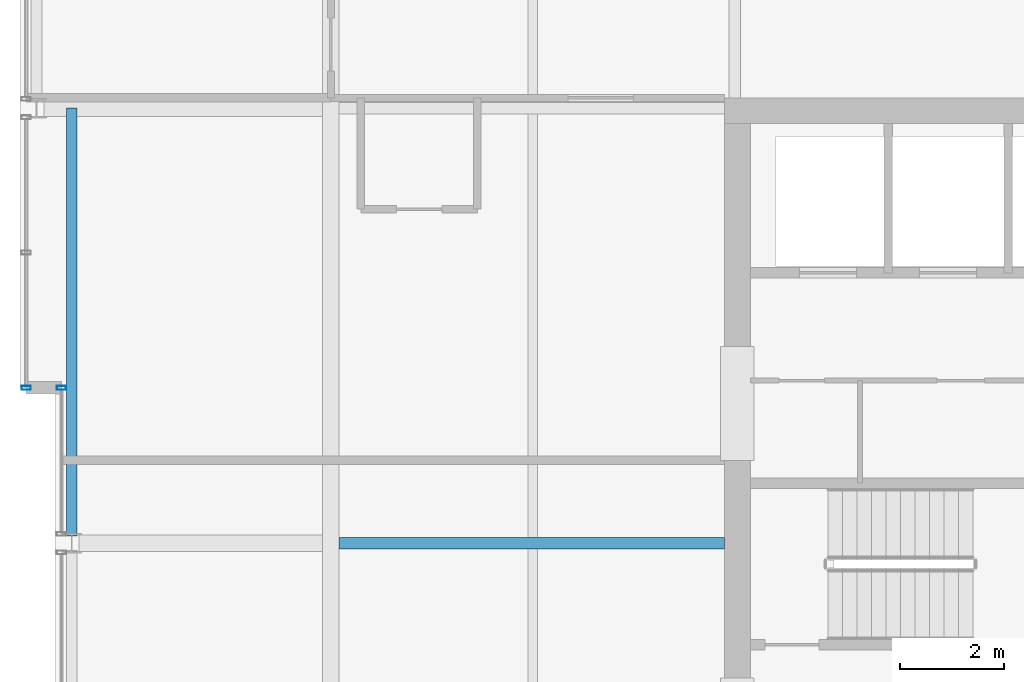
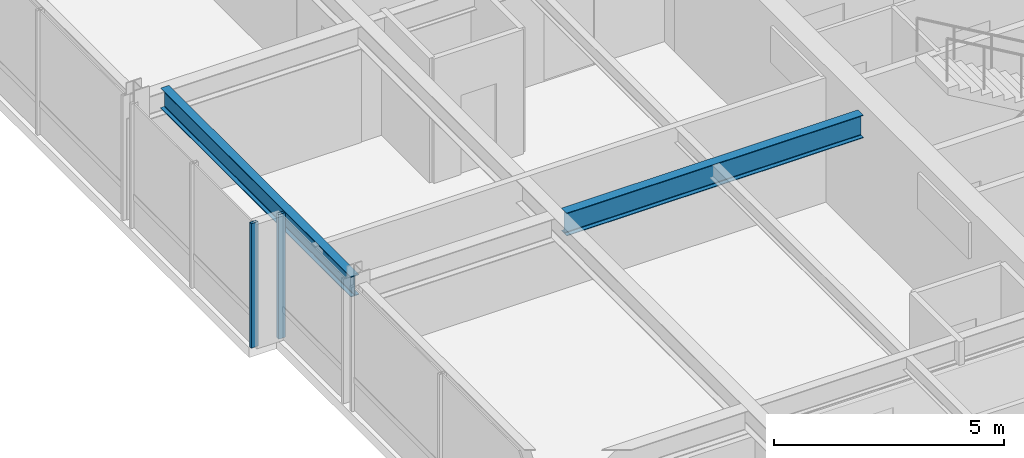
# One storey, part 12 of 34: 2 beams, 2 members, 2 elements without a shape of their own.
"""IFC4 building model written with IfcOpenShell, lengths in metres."""

from ifc_helpers import new_model, si_unit, direction, frame, origin, origin_2d, place, context, subcontext, project, spatial, hollow_rectangle, i_section, extrude, material, layer, layer_set, material_profile, profile_set, type_object, element, aggregate, save


model = new_model("IFC4")

# Units and contexts
model_context = context("Model", 3, precision=1e-05, world=origin(), true_north=direction((0.0, 1.0)))
body_context = subcontext(model_context, "Body", "Model", "MODEL_VIEW")
ifc_project = project(units=[si_unit("LENGTHUNIT", "METRE"), si_unit("AREAUNIT", "SQUARE_METRE"), si_unit("VOLUMEUNIT", "CUBIC_METRE"), si_unit("PLANEANGLEUNIT", "RADIAN"), si_unit("MASSUNIT", "GRAM", prefix="KILO")], contexts=[model_context])

# Site, building, storey
site_placement = place(None, origin())
site = spatial("IfcSite", under=ifc_project, at=site_placement, CompositionType="ELEMENT")
building_placement = place(site_placement, origin())
building = spatial("IfcBuilding", under=site, at=building_placement, Name="Drelvath Grand Hotel", CompositionType="ELEMENT")
storey_placement = place(building_placement, frame((0.0, 0.0, 251.89990234375)))
storey = spatial("IfcBuildingStorey", under=building, at=storey_placement, Name="L66", CompositionType="ELEMENT", Elevation=251.89990234375)

# Curtain wall, member
ifc_material_1 = material(Name="Platinum-Mist Anodised Aluminium Frame", Category="aluminium")
ifc_layer = layer(ifc_material_1, 0.199951171875)
ifc_layer_set = layer_set([ifc_layer], Name="Platinum-Mist Anodised Aluminium Frame")
curtain_wall_type = type_object("IfcCurtainWallType", Name="Stick Curtain Wall CW-05 Platinum Mist High-Rise", PredefinedType="NOTDEFINED", material=ifc_layer_set)
curtain_wall_1_placement = place(storey_placement, origin())
curtain_wall_1 = element("IfcCurtainWall", 1, at=curtain_wall_1_placement, inside=storey, type_object=curtain_wall_type, Name="L66 CW-05 Curtain Wall CW05-L66-WM2", PredefinedType="NOTDEFINED")
ifc_material_profile_1 = material_profile(ifc_material_1, hollow_rectangle(XDim=0.074951171875, YDim=0.179931640625, WallThickness=0.0048828125, at=origin_2d()), Name="HSS180X75X5")
ifc_profile_set_1 = profile_set([ifc_material_profile_1], Name="Platinum-Mist Anodised Aluminium Frame")
member_type = type_object("IfcMemberType", Name="Curtain Wall Vertical Mullion CW-05 HSS180X75X5", PredefinedType="MULLION", material=ifc_profile_set_1)
member_1_placement = place(storey_placement, frame((-21.39990234375, 30.0, 0.0), z_axis=(0.0, 0.0, 1.0), x_axis=(0.0, 1.0, 0.0)))
member_1 = element("IfcMember", 2, at=member_1_placement, type_object=member_type, Name="CW05-L66-WM2 Mullion 2", PredefinedType="MULLION", context=body_context, shape_type="SweptSolid", body=[
    extrude(hollow_rectangle(XDim=0.074951171875, YDim=0.179931640625, WallThickness=0.0048828125, at=origin_2d()), origin(), (0.0, 0.0, 1.0), 3.300048828125),
])
aggregate(curtain_wall_1, [member_1])

curtain_wall_2_placement = place(storey_placement, origin())
curtain_wall_2 = element("IfcCurtainWall", 3, at=curtain_wall_2_placement, inside=storey, type_object=curtain_wall_type, Name="L66 CW-05 Curtain Wall CW05-L66-WN1", PredefinedType="NOTDEFINED")
member_2_placement = place(storey_placement, frame((-22.080078125, 30.0, 0.0), z_axis=(0.0, 0.0, 1.0), x_axis=(0.0, 1.0, 0.0)))
member_2 = element("IfcMember", 4, at=member_2_placement, type_object=member_type, Name="CW05-L66-WN1 Mullion 1", PredefinedType="MULLION", context=body_context, shape_type="SweptSolid", body=[
    extrude(hollow_rectangle(XDim=0.074951171875, YDim=0.179931640625, WallThickness=0.0048828125, at=origin_2d()), origin(), (0.0, 0.0, 1.0), 3.300048828125),
])
aggregate(curtain_wall_2, [member_2])

# Beams
ifc_material_2 = material(Name="Steel ASTM A992 Gr 50", Category="steel")
ifc_material_profile_2 = material_profile(ifc_material_2, i_section(OverallWidth=0.210205078125, OverallDepth=0.53662109375, WebThickness=0.010986328125, FlangeThickness=0.017333984375, FilletRadius=0.01806640625, at=origin_2d()), Name="W21X68")
ifc_profile_set_2 = profile_set([ifc_material_profile_2], Name="Steel ASTM A992 Gr 50")
beam_type_1 = type_object("IfcBeamType", Name="Perimeter Spandrel Beam W21X68", PredefinedType="SPANDREL", material=ifc_profile_set_2)
beam_1_placement = place(storey_placement, frame((-21.199951171875, 27.139892578125, 3.03173828125), z_axis=(0.0, 1.0, 0.0), x_axis=(-1.0, 0.0, 0.0)))
element("IfcBeam", 5, at=beam_1_placement, inside=storey, type_object=beam_type_1, Name="L66 Spandrel West Mid N", PredefinedType="SPANDREL", context=body_context, shape_type="SweptSolid", body=[
    extrude(i_section(OverallWidth=0.210205078125, OverallDepth=0.53662109375, WebThickness=0.010986328125, FlangeThickness=0.017333984375, FilletRadius=0.01806640625, at=origin_2d()), origin(), (0.0, 0.0, 1.0), 8.260009765625),
])
ifc_material_profile_3 = material_profile(ifc_material_2, i_section(OverallWidth=0.228271484375, OverallDepth=0.607666015625, WebThickness=0.01123046875, FlangeThickness=0.017333984375, FilletRadius=0.02001953125, at=origin_2d()), Name="W24X76")
ifc_profile_set_3 = profile_set([ifc_material_profile_3], Name="Steel ASTM A992 Gr 50")
beam_type_2 = type_object("IfcBeamType", Name="Primary Floor Girder W24X76", PredefinedType="BEAM", material=ifc_profile_set_3)
beam_2_placement = place(storey_placement, frame((-16.0380859375, 27.0, 2.996337890625), z_axis=(1.0, 0.0, 0.0), x_axis=(0.0, 1.0, 0.0)))
element("IfcBeam", 6, at=beam_2_placement, inside=storey, type_object=beam_type_2, Name="L66 West Core Tie E", PredefinedType="BEAM", context=body_context, shape_type="SweptSolid", body=[
    extrude(i_section(OverallWidth=0.228271484375, OverallDepth=0.607666015625, WebThickness=0.01123046875, FlangeThickness=0.017333984375, FilletRadius=0.02001953125, at=origin_2d()), origin(), (0.0, 0.0, 1.0), 7.43798828125),
])

save(model, "model.ifc")
